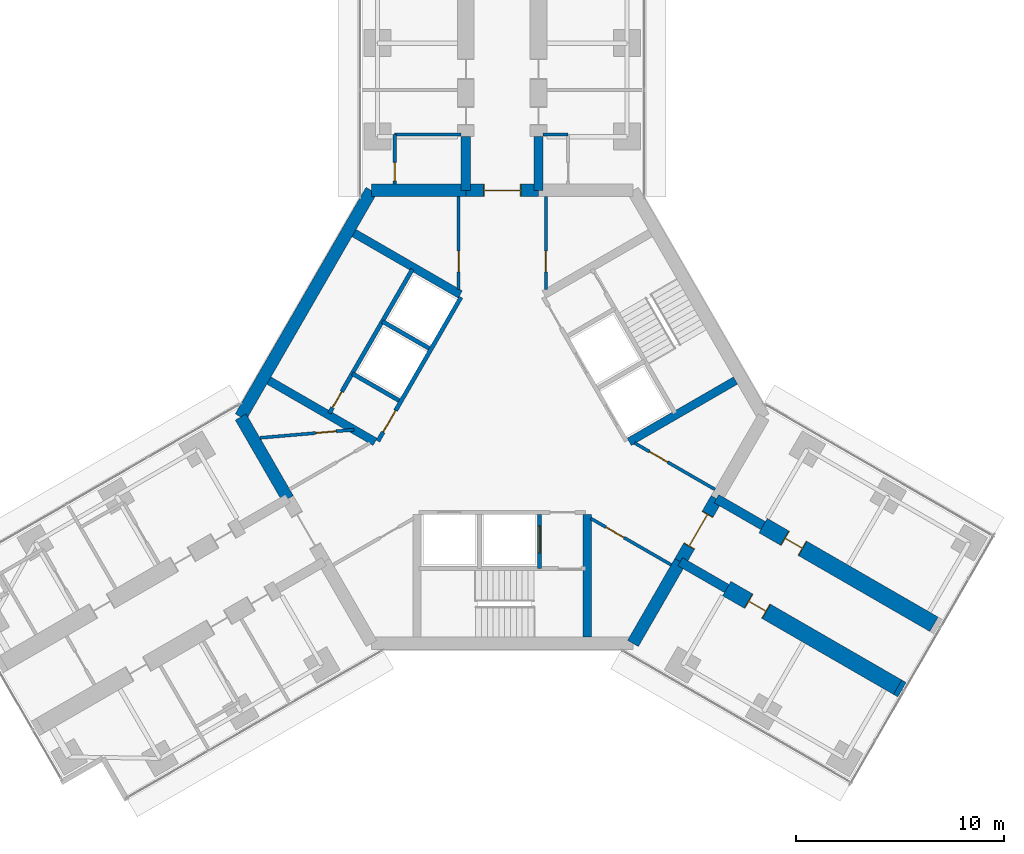
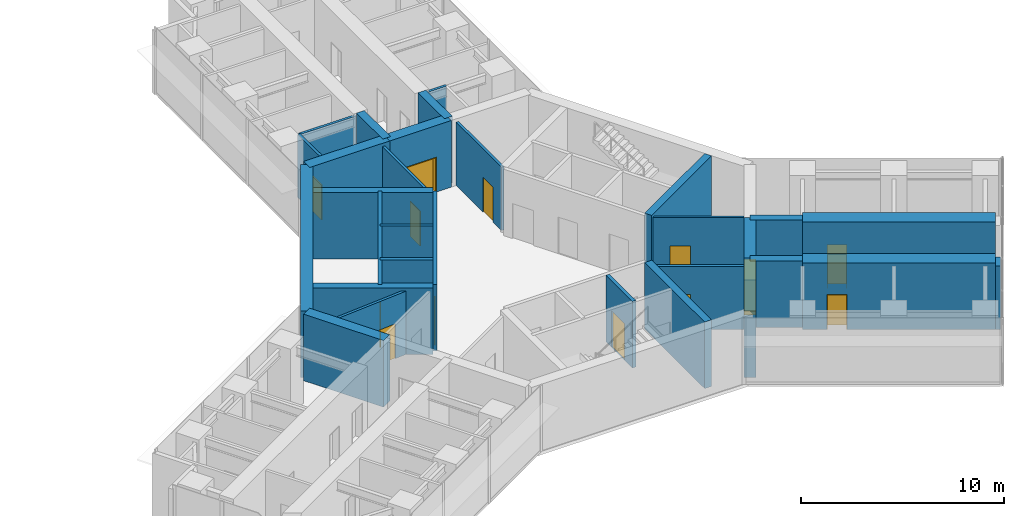
# One storey, part 19 of 22: 30 walls, 13 doors, 13 openings.
"""IFC4 building model written with IfcOpenShell, lengths in metres."""

from ifc_helpers import new_model, si_unit, direction, frame, frame_2d, origin, place, context, subcontext, project, spatial, rectangle, extrude, material, layer, layer_set, type_object, element, fill, save


model = new_model("IFC4")

# Units and contexts
model_context = context("Model", 3, precision=1e-05, world=origin(), true_north=direction((0.0, 1.0)))
body_context = subcontext(model_context, "Body", "Model", "MODEL_VIEW")
ifc_project = project(units=[si_unit("LENGTHUNIT", "METRE"), si_unit("AREAUNIT", "SQUARE_METRE"), si_unit("VOLUMEUNIT", "CUBIC_METRE"), si_unit("PLANEANGLEUNIT", "RADIAN"), si_unit("MASSUNIT", "GRAM", prefix="KILO")], contexts=[model_context])

# Site, building, storey
site_placement = place(None, origin())
site = spatial("IfcSite", under=ifc_project, at=site_placement, CompositionType="ELEMENT")
building_placement = place(site_placement, origin())
building = spatial("IfcBuilding", under=site, at=building_placement, Name="Upepo Twin Towers", CompositionType="ELEMENT")
storey_placement = place(building_placement, frame((0.0, 0.0, 141.5)))
storey = spatial("IfcBuildingStorey", under=building, at=storey_placement, Name="L34", CompositionType="ELEMENT", Elevation=141.5)

# Walls
ifc_material_1 = material(Name="Dense concrete blockwork", Category="masonry")
ifc_layer_1 = layer(ifc_material_1, 0.800048828125)
ifc_layer_set_1 = layer_set([ifc_layer_1], Name="Buttress closer 800, blockwork with fire-stopping to the curtain wall")
wall_type_1 = type_object("IfcWallType", Name="Buttress closer 800, blockwork with fire-stopping to the curtain wall", PredefinedType="PARTITIONING", material=ifc_layer_set_1)
wall_1_placement = place(storey_placement, frame((77.543701171875, -31.015625, 0.0), z_axis=(0.0, 0.0, 1.0), x_axis=(0.865827443207, -0.500342721131, 0.0)))
element("IfcWall", 1, at=wall_1_placement, inside=storey, type_object=wall_type_1, Name="T2 L34 wing C buttress closer R", PredefinedType="PARTITIONING", context=body_context, shape_type="SweptSolid", body=[
    extrude(rectangle(XDim=0.249755859375, YDim=0.800048828125, at=frame_2d((0.125, 0.0))), origin(), (0.0, 0.0, 1.0), 3.800048828125),
])
ifc_material_2 = material(Name="Concrete C60/75", Category="concrete")
ifc_layer_2 = layer(ifc_material_2, 0.449951171875)
ifc_layer_set_2 = layer_set([ifc_layer_2], Name="Concrete C60/75")
wall_type_2 = type_object("IfcWallType", Name="Buttress wall 450 RC", PredefinedType="SHEAR", material=ifc_layer_set_2)
for number, where, z_axis, x_axis, name in (
    (2, (56.75, -7.091552734375, 0.0), (0.0, 0.0, 1.0), (0.0, 1.0, 0.0), "T2 wing A buttress wall L"),
    (3, (60.25, -7.091552734375, 0.0), (0.0, 0.0, 1.0), (0.0, 1.0, 0.0), "T2 wing A buttress wall R"),
):
    element("IfcWall", number, at=place(storey_placement, frame(where, z_axis=z_axis, x_axis=x_axis)), inside=storey, type_object=wall_type_2, Name=name, PredefinedType="SHEAR", context=body_context, shape_type="SweptSolid", body=[
        extrude(rectangle(XDim=2.591552734375, YDim=0.449951171875, at=frame_2d((1.2958984375, 0.0))), origin(), (0.0, 0.0, 1.0), 4.0),
    ])
for number, where, z_axis, x_axis, name in (
    (4, (68.82177734375, -21.938720703125, 0.0), (0.0, 0.0, 1.0), (0.866072649678, -0.499918158782, 0.0), "T2 wing C buttress wall L"),
    (5, (67.07177734375, -24.9697265625, 0.0), (0.0, 0.0, 1.0), (0.866031863473, -0.499988811324, 0.0), "T2 wing C buttress wall R"),
):
    element("IfcWall", number, at=place(storey_placement, frame(where, z_axis=z_axis, x_axis=x_axis)), inside=storey, type_object=wall_type_2, Name=name, PredefinedType="SHEAR", context=body_context, shape_type="SweptSolid", body=[
        extrude(rectangle(XDim=2.591796875, YDim=0.449951171875, at=frame_2d((1.2958984375, 0.0))), origin(), (0.0, 0.0, 1.0), 4.0),
    ])

# Wall, opening, door
ifc_material_3 = material(Name="Concrete C60/75", Category="concrete")
ifc_layer_3 = layer(ifc_material_3, 0.800048828125)
ifc_layer_set_3 = layer_set([ifc_layer_3], Name="Concrete C60/75")
wall_type_3 = type_object("IfcWallType", Name="Buttress wall 800 RC", PredefinedType="SHEAR", material=ifc_layer_set_3)
wall_2_placement = place(storey_placement, frame((71.06640625, -23.234375, 0.0), z_axis=(0.0, 0.0, 1.0), x_axis=(0.86602681393, -0.499997557548, 0.0)))
wall_2 = element("IfcWall", 6, at=wall_2_placement, inside=storey, type_object=wall_type_3, Name="T2 wing C buttress wall L part 2", PredefinedType="SHEAR", context=body_context, shape_type="SweptSolid", body=[
    extrude(rectangle(XDim=9.5, YDim=0.800048828125, at=frame_2d((4.75, 0.0))), origin(), (0.0, 0.0, 1.0), 4.0),
])
opening_1_placement = place(wall_2_placement, frame((1.199951171875, 0.0, 0.0)))
opening_1 = element("IfcOpeningElement", 7, at=opening_1_placement, cuts=wall_2, Name="Opening D1", PredefinedType="OPENING", context=body_context, shape_type="SweptSolid", body=[
    extrude(rectangle(XDim=1.0, YDim=2.10009765625, at=frame_2d((0.5, 1.050048828125))), frame((0.0, 0.409912109375, 0.0), z_axis=(0.0, -1.0, 0.0), x_axis=(1.0, 0.0, 0.0)), (0.0, 0.0, 1.0), 0.820068359375),
])
ifc_material_4 = material(Name="Timber doorset", Category="wood")
door_type_1 = type_object("IfcDoorType", Name="Room door 1000 FD30", OperationType="SINGLE_SWING_LEFT", PredefinedType="DOOR", material=ifc_material_4)
door_1_placement = place(opening_1_placement, origin())
door_1 = element("IfcDoor", 8, at=door_1_placement, inside=storey, type_object=door_type_1, Name="T2 L34 staff office door", OperationType="SINGLE_SWING_LEFT", OverallHeight=2.10009765625, OverallWidth=1.0, PredefinedType="DOOR", context=body_context, shape_type="SweptSolid", body=[
    extrude(rectangle(XDim=0.92, YDim=2.06009765625, at=frame_2d((0.5, 1.030029296875))), frame((0.0, 0.02490234375, 0.0), z_axis=(0.0, -1.0, 0.0), x_axis=(1.0, 0.0, 0.0)), (0.0, 0.0, 1.0), 0.050048828125),
    extrude(rectangle(XDim=0.04, YDim=2.10009765625, at=frame_2d((0.02001953125, 1.050048828125))), frame((0.0, 0.39990234375, 0.0), z_axis=(0.0, -1.0, 0.0), x_axis=(1.0, 0.0, 0.0)), (0.0, 0.0, 1.0), 0.799560546875),
    extrude(rectangle(XDim=0.04, YDim=2.10009765625, at=frame_2d((0.97998046875, 1.050048828125))), frame((0.0, 0.39990234375, 0.0), z_axis=(0.0, -1.0, 0.0), x_axis=(1.0, 0.0, 0.0)), (0.0, 0.0, 1.0), 0.799560546875),
    extrude(rectangle(XDim=0.92, YDim=0.04, at=frame_2d((0.5, 2.080078125))), frame((0.0, 0.39990234375, 0.0), z_axis=(0.0, -1.0, 0.0), x_axis=(1.0, 0.0, 0.0)), (0.0, 0.0, 1.0), 0.799560546875),
])
fill(opening_1, door_1)

wall_3_placement = place(storey_placement, frame((69.31640625, -26.265625, 0.0), z_axis=(0.0, 0.0, 1.0), x_axis=(0.86602681393, -0.499997557548, 0.0)))
wall_3 = element("IfcWall", 9, at=wall_3_placement, inside=storey, type_object=wall_type_3, Name="T2 wing C buttress wall R part 2", PredefinedType="SHEAR", context=body_context, shape_type="SweptSolid", body=[
    extrude(rectangle(XDim=9.5, YDim=0.800048828125, at=frame_2d((4.75, 0.0))), origin(), (0.0, 0.0, 1.0), 4.0),
])
opening_2_placement = place(wall_3_placement, frame((1.199951171875, 0.0, 0.0)))
opening_2 = element("IfcOpeningElement", 10, at=opening_2_placement, cuts=wall_3, Name="Opening D1", PredefinedType="OPENING", context=body_context, shape_type="SweptSolid", body=[
    extrude(rectangle(XDim=1.0, YDim=2.10009765625, at=frame_2d((0.5, 1.050048828125))), frame((0.0, 0.409912109375, 0.0), z_axis=(0.0, -1.0, 0.0), x_axis=(1.0, 0.0, 0.0)), (0.0, 0.0, 1.0), 0.820068359375),
])
door_2_placement = place(opening_2_placement, origin())
door_2 = element("IfcDoor", 11, at=door_2_placement, inside=storey, type_object=door_type_1, Name="T2 L34 staff office door", OperationType="SINGLE_SWING_LEFT", OverallHeight=2.10009765625, OverallWidth=1.0, PredefinedType="DOOR", context=body_context, shape_type="SweptSolid", body=[
    extrude(rectangle(XDim=0.92, YDim=2.06009765625, at=frame_2d((0.5, 1.030029296875))), frame((0.0, 0.02490234375, 0.0), z_axis=(0.0, -1.0, 0.0), x_axis=(1.0, 0.0, 0.0)), (0.0, 0.0, 1.0), 0.050048828125),
    extrude(rectangle(XDim=0.04, YDim=2.10009765625, at=frame_2d((0.02001953125, 1.050048828125))), frame((0.0, 0.39990234375, 0.0), z_axis=(0.0, -1.0, 0.0), x_axis=(1.0, 0.0, 0.0)), (0.0, 0.0, 1.0), 0.799560546875),
    extrude(rectangle(XDim=0.04, YDim=2.10009765625, at=frame_2d((0.97998046875, 1.050048828125))), frame((0.0, 0.39990234375, 0.0), z_axis=(0.0, -1.0, 0.0), x_axis=(1.0, 0.0, 0.0)), (0.0, 0.0, 1.0), 0.799560546875),
    extrude(rectangle(XDim=0.92, YDim=0.04, at=frame_2d((0.5, 2.080078125))), frame((0.0, 0.39990234375, 0.0), z_axis=(0.0, -1.0, 0.0), x_axis=(1.0, 0.0, 0.0)), (0.0, 0.0, 1.0), 0.799560546875),
])
fill(opening_2, door_2)

ifc_material_5 = material(Name="Concrete C60/75", Category="concrete")
ifc_layer_4 = layer(ifc_material_5, 0.60009765625)
ifc_layer_set_4 = layer_set([ifc_layer_4], Name="Concrete C60/75")
wall_type_4 = type_object("IfcWallType", Name="Core wall 600 RC", PredefinedType="SHEAR", material=ifc_layer_set_4)
wall_4_placement = place(storey_placement, frame((60.25, -7.091552734375, 0.0), z_axis=(0.0, 0.0, 1.0), x_axis=(-1.0, 0.0, 0.0)))
wall_4 = element("IfcWall", 12, at=wall_4_placement, inside=storey, type_object=wall_type_4, Name="T2 core wall 000", PredefinedType="SHEAR", context=body_context, shape_type="SweptSolid", body=[
    extrude(rectangle(XDim=3.5, YDim=0.60009765625, at=frame_2d((1.75, 0.0))), origin(), (0.0, 0.0, 1.0), 4.0),
])
opening_3_placement = place(wall_4_placement, frame((0.85009765625, 0.0, 0.0)))
opening_3 = element("IfcOpeningElement", 13, at=opening_3_placement, cuts=wall_4, Name="Opening D2", PredefinedType="OPENING", context=body_context, shape_type="SweptSolid", body=[
    extrude(rectangle(XDim=1.800048828125, YDim=2.10009765625, at=frame_2d((0.89990234375, 1.050048828125))), frame((0.0, 0.31005859375, 0.0), z_axis=(0.0, -1.0, 0.0), x_axis=(1.0, 0.0, 0.0)), (0.0, 0.0, 1.0), 0.6201171875),
])
ifc_material_6 = material(Name="Timber doorset", Category="wood")
door_type_2 = type_object("IfcDoorType", Name="Corridor double door 1800 FD60", OperationType="DOUBLE_DOOR_DOUBLE_SWING", PredefinedType="DOOR", material=ifc_material_6)
door_3_placement = place(opening_3_placement, origin())
door_3 = element("IfcDoor", 14, at=door_3_placement, inside=storey, type_object=door_type_2, Name="T2 L34 wing A corridor door", OperationType="DOUBLE_DOOR_DOUBLE_SWING", OverallHeight=2.10009765625, OverallWidth=1.800048828125, PredefinedType="DOOR", context=body_context, shape_type="SweptSolid", body=[
    extrude(rectangle(XDim=1.720048828125, YDim=2.06009765625, at=frame_2d((0.89990234375, 1.030029296875))), frame((0.0, 0.02490234375, 0.0), z_axis=(0.0, -1.0, 0.0), x_axis=(1.0, 0.0, 0.0)), (0.0, 0.0, 1.0), 0.050048828125),
    extrude(rectangle(XDim=0.04, YDim=2.10009765625, at=frame_2d((0.02001953125, 1.050048828125))), frame((0.0, 0.2998046875, 0.0), z_axis=(0.0, -1.0, 0.0), x_axis=(1.0, 0.0, 0.0)), (0.0, 0.0, 1.0), 0.599609375),
    extrude(rectangle(XDim=0.04, YDim=2.10009765625, at=frame_2d((1.780029296875, 1.050048828125))), frame((0.0, 0.2998046875, 0.0), z_axis=(0.0, -1.0, 0.0), x_axis=(1.0, 0.0, 0.0)), (0.0, 0.0, 1.0), 0.599609375),
    extrude(rectangle(XDim=1.720048828125, YDim=0.04, at=frame_2d((0.89990234375, 2.080078125))), frame((0.0, 0.2998046875, 0.0), z_axis=(0.0, -1.0, 0.0), x_axis=(1.0, 0.0, 0.0)), (0.0, 0.0, 1.0), 0.599609375),
])
fill(opening_3, door_3)

# Walls
wall_5_placement = place(storey_placement, frame((56.75, -7.091552734375, 0.0), z_axis=(0.0, 0.0, 1.0), x_axis=(-1.0, 0.0, 0.0)))
element("IfcWall", 15, at=wall_5_placement, inside=storey, type_object=wall_type_4, Name="T2 core wall 000 L", PredefinedType="SHEAR", context=body_context, shape_type="SweptSolid", body=[
    extrude(rectangle(XDim=4.5478515625, YDim=0.60009765625, at=frame_2d((2.27392578125, 0.0))), origin(), (0.0, 0.0, 1.0), 4.0),
])
wall_6_placement = place(storey_placement, frame((52.2021484375, -7.091552734375, 0.0), z_axis=(0.0, 0.0, 1.0), x_axis=(-0.500005998175, -0.866021940709, 0.0)))
element("IfcWall", 16, at=wall_6_placement, inside=storey, type_object=wall_type_4, Name="T2 core wall 060", PredefinedType="SHEAR", context=body_context, shape_type="SweptSolid", body=[
    extrude(rectangle(XDim=12.595947265625, YDim=0.60009765625, at=frame_2d((6.2978515625, 0.0))), origin(), (0.0, 0.0, 1.0), 4.0),
])
for number, where, z_axis, x_axis, name in (
    (17, (45.904052734375, -18.0, 0.0), (0.0, 0.0, 1.0), (0.500024481964, -0.866011268655, 0.0), "T2 core wall 120 R"),
    (18, (64.7978515625, -28.908447265625, 0.0), (0.0, 0.0, 1.0), (0.499984222037, 0.866034513004, 0.0), "T2 core wall 240 R"),
):
    element("IfcWall", number, at=place(storey_placement, frame(where, z_axis=z_axis, x_axis=x_axis)), inside=storey, type_object=wall_type_4, Name=name, PredefinedType="SHEAR", context=body_context, shape_type="SweptSolid", body=[
        extrude(rectangle(XDim=4.548095703125, YDim=0.60009765625, at=frame_2d((2.27392578125, 0.0))), origin(), (0.0, 0.0, 1.0), 4.0),
    ])

# Wall, opening, door
wall_7_placement = place(storey_placement, frame((67.07177734375, -24.9697265625, 0.0), z_axis=(0.0, 0.0, 1.0), x_axis=(0.500010275428, 0.866019471182, 0.0)))
wall_7 = element("IfcWall", 19, at=wall_7_placement, inside=storey, type_object=wall_type_4, Name="T2 core wall 240", PredefinedType="SHEAR", context=body_context, shape_type="SweptSolid", body=[
    extrude(rectangle(XDim=3.5, YDim=0.60009765625, at=frame_2d((1.75, 0.0))), origin(), (0.0, 0.0, 1.0), 4.0),
])
opening_4_placement = place(wall_7_placement, frame((0.85009765625, 0.0, 0.0)))
opening_4 = element("IfcOpeningElement", 20, at=opening_4_placement, cuts=wall_7, Name="Opening D2", PredefinedType="OPENING", context=body_context, shape_type="SweptSolid", body=[
    extrude(rectangle(XDim=1.800048828125, YDim=2.10009765625, at=frame_2d((0.89990234375, 1.050048828125))), frame((0.0, 0.31005859375, 0.0), z_axis=(0.0, -1.0, 0.0), x_axis=(1.0, 0.0, 0.0)), (0.0, 0.0, 1.0), 0.6201171875),
])
door_4_placement = place(opening_4_placement, origin())
door_4 = element("IfcDoor", 21, at=door_4_placement, inside=storey, type_object=door_type_2, Name="T2 L34 wing C corridor door", OperationType="DOUBLE_DOOR_DOUBLE_SWING", OverallHeight=2.10009765625, OverallWidth=1.800048828125, PredefinedType="DOOR", context=body_context, shape_type="SweptSolid", body=[
    extrude(rectangle(XDim=1.720048828125, YDim=2.06009765625, at=frame_2d((0.89990234375, 1.030029296875))), frame((0.0, 0.02490234375, 0.0), z_axis=(0.0, -1.0, 0.0), x_axis=(1.0, 0.0, 0.0)), (0.0, 0.0, 1.0), 0.050048828125),
    extrude(rectangle(XDim=0.04, YDim=2.10009765625, at=frame_2d((0.02001953125, 1.050048828125))), frame((0.0, 0.2998046875, 0.0), z_axis=(0.0, -1.0, 0.0), x_axis=(1.0, 0.0, 0.0)), (0.0, 0.0, 1.0), 0.599609375),
    extrude(rectangle(XDim=0.04, YDim=2.10009765625, at=frame_2d((1.780029296875, 1.050048828125))), frame((0.0, 0.2998046875, 0.0), z_axis=(0.0, -1.0, 0.0), x_axis=(1.0, 0.0, 0.0)), (0.0, 0.0, 1.0), 0.599609375),
    extrude(rectangle(XDim=1.720048828125, YDim=0.04, at=frame_2d((0.89990234375, 2.080078125))), frame((0.0, 0.2998046875, 0.0), z_axis=(0.0, -1.0, 0.0), x_axis=(1.0, 0.0, 0.0)), (0.0, 0.0, 1.0), 0.599609375),
])
fill(opening_4, door_4)

ifc_material_7 = material(Name="Concrete C40/50", Category="concrete")
ifc_layer_5 = layer(ifc_material_7, 0.199951171875)
ifc_layer_set_5 = layer_set([ifc_layer_5], Name="Concrete C40/50")
wall_type_5 = type_object("IfcWallType", Name="Shaft wall 200 RC", PredefinedType="SHEAR", material=ifc_layer_set_5)
wall_8_placement = place(storey_placement, frame((56.516357421875, -12.23583984375, 0.0), z_axis=(0.0, 0.0, 1.0), x_axis=(-0.49999894854, -0.866026010844, 0.0)))
wall_8 = element("IfcWall", 22, at=wall_8_placement, inside=storey, type_object=wall_type_5, Name="T2 core W60 front wall", PredefinedType="SHEAR", context=body_context, shape_type="SweptSolid", body=[
    extrude(rectangle(XDim=8.0, YDim=0.199951171875, at=frame_2d((4.0, 0.0))), origin(), (0.0, 0.0, 1.0), 4.0),
])
opening_5_placement = place(wall_8_placement, frame((6.300048828125, 0.0, 0.0)))
opening_5 = element("IfcOpeningElement", 23, at=opening_5_placement, cuts=wall_8, Name="Opening D4", PredefinedType="OPENING", context=body_context, shape_type="SweptSolid", body=[
    extrude(rectangle(XDim=1.199951171875, YDim=2.10009765625, at=frame_2d((0.60009765625, 1.050048828125))), frame((0.0, 0.10986328125, 0.0), z_axis=(0.0, -1.0, 0.0), x_axis=(1.0, 0.0, 0.0)), (0.0, 0.0, 1.0), 0.219970703125),
])
ifc_material_8 = material(Name="Timber doorset", Category="wood")
door_type_3 = type_object("IfcDoorType", Name="Lobby door 1200 FD60", OperationType="SINGLE_SWING_LEFT", PredefinedType="DOOR", material=ifc_material_8)
door_5_placement = place(opening_5_placement, origin())
door_5 = element("IfcDoor", 24, at=door_5_placement, inside=storey, type_object=door_type_3, Name="T2 L34 W60 lobby door", OperationType="SINGLE_SWING_RIGHT", OverallHeight=2.10009765625, OverallWidth=1.199951171875, PredefinedType="DOOR", context=body_context, shape_type="SweptSolid", body=[
    extrude(rectangle(XDim=1.199951171875, YDim=2.10009765625, at=frame_2d((0.60009765625, 1.050048828125))), frame((0.0, 0.02490234375, 0.0), z_axis=(0.0, -1.0, 0.0), x_axis=(1.0, 0.0, 0.0)), (0.0, 0.0, 1.0), 0.050048828125),
])
fill(opening_5, door_5)

# Walls
for number, where, z_axis, x_axis, name in (
    (25, (54.979736328125, -14.697265625, 0.0), (0.0, 0.0, 1.0), (-0.866062058628, 0.499936506574, 0.0), "T2 core W60 shaft divider"),
    (26, (53.52978515625, -17.208740234375, 0.0), (0.0, 0.0, 1.0), (-0.866062058628, 0.499936506574, 0.0), "T2 core W60 lobby wall"),
):
    element("IfcWall", number, at=place(storey_placement, frame(where, z_axis=z_axis, x_axis=x_axis)), inside=storey, type_object=wall_type_5, Name=name, PredefinedType="SHEAR", context=body_context, shape_type="SweptSolid", body=[
        extrude(rectangle(XDim=2.599853515625, YDim=0.199951171875, at=frame_2d((1.2998046875, 0.0))), origin(), (0.0, 0.0, 1.0), 4.0),
    ])

# Wall, opening, door
wall_9_placement = place(storey_placement, frame((54.177978515625, -10.885986328125, 0.0), z_axis=(0.0, 0.0, 1.0), x_axis=(-0.49999894854, -0.866026010844, 0.0)))
wall_9 = element("IfcWall", 27, at=wall_9_placement, inside=storey, type_object=wall_type_5, Name="T2 core W60 stair wall", PredefinedType="SHEAR", context=body_context, shape_type="SweptSolid", body=[
    extrude(rectangle(XDim=8.0, YDim=0.199951171875, at=frame_2d((4.0, 0.0))), origin(), (0.0, 0.0, 1.0), 4.0),
])
opening_6_placement = place(wall_9_placement, frame((6.800048828125, 0.0, 0.0)))
opening_6 = element("IfcOpeningElement", 28, at=opening_6_placement, cuts=wall_9, Name="Opening D9", PredefinedType="OPENING", context=body_context, shape_type="SweptSolid", body=[
    extrude(rectangle(XDim=0.89990234375, YDim=2.10009765625, at=frame_2d((0.449951171875, 1.050048828125))), frame((0.0, 0.10986328125, 0.0), z_axis=(0.0, -1.0, 0.0), x_axis=(1.0, 0.0, 0.0)), (0.0, 0.0, 1.0), 0.219970703125),
])
ifc_material_9 = material(Name="Timber doorset", Category="wood")
door_type_4 = type_object("IfcDoorType", Name="Riser door 900 FD60", OperationType="SINGLE_SWING_LEFT", PredefinedType="DOOR", material=ifc_material_9)
door_6_placement = place(opening_6_placement, origin())
door_6 = element("IfcDoor", 29, at=door_6_placement, inside=storey, type_object=door_type_4, Name="T2 L34 riser door", OperationType="SINGLE_SWING_RIGHT", OverallHeight=2.10009765625, OverallWidth=0.89990234375, PredefinedType="DOOR", context=body_context, shape_type="SweptSolid", body=[
    extrude(rectangle(XDim=0.89990234375, YDim=2.10009765625, at=frame_2d((0.449951171875, 1.050048828125))), frame((0.0, 0.02490234375, 0.0), z_axis=(0.0, -1.0, 0.0), x_axis=(1.0, 0.0, 0.0)), (0.0, 0.0, 1.0), 0.050048828125),
])
fill(opening_6, door_6)

wall_10_placement = place(storey_placement, frame((60.300048828125, -22.699951171875, 0.0), z_axis=(0.0, 0.0, 1.0), x_axis=(0.0, -1.0, 0.0)))
wall_10 = element("IfcWall", 30, at=wall_10_placement, inside=storey, type_object=wall_type_5, Name="T2 core W180 lobby wall", PredefinedType="SHEAR", context=body_context, shape_type="SweptSolid", body=[
    extrude(rectangle(XDim=2.60009765625, YDim=0.199951171875, at=frame_2d((1.300048828125, 0.0))), origin(), (0.0, 0.0, 1.0), 4.0),
])
opening_7_placement = place(wall_10_placement, frame((0.550048828125, 0.0, 0.0)))
opening_7 = element("IfcOpeningElement", 31, at=opening_7_placement, cuts=wall_10, Name="Opening LD2", PredefinedType="OPENING", context=body_context, shape_type="SweptSolid", body=[
    extrude(rectangle(XDim=1.300048828125, YDim=2.199951171875, at=frame_2d((0.64990234375, 1.10009765625))), frame((0.0, 0.10986328125, 0.0), z_axis=(0.0, -1.0, 0.0), x_axis=(1.0, 0.0, 0.0)), (0.0, 0.0, 1.0), 0.219970703125),
])
ifc_material_10 = material(Name="Steel doorset", Category="steel")
door_type_5 = type_object("IfcDoorType", Name="Firefighting lift landing door 1300", OperationType="DOUBLE_DOOR_SLIDING", PredefinedType="DOOR", material=ifc_material_10)
door_7_placement = place(opening_7_placement, origin())
door_7 = element("IfcDoor", 32, at=door_7_placement, inside=storey, type_object=door_type_5, Name="T2 L34 firefighting lift landing door", OperationType="DOUBLE_DOOR_SLIDING", OverallHeight=2.199951171875, OverallWidth=1.300048828125, PredefinedType="DOOR", context=body_context, shape_type="SweptSolid", body=[
    extrude(rectangle(XDim=1.300048828125, YDim=2.199951171875, at=frame_2d((0.64990234375, 1.10009765625))), frame((0.0, 0.02490234375, 0.0), z_axis=(0.0, -1.0, 0.0), x_axis=(1.0, 0.0, 0.0)), (0.0, 0.0, 1.0), 0.050048828125),
])
fill(opening_7, door_7)

# Walls
ifc_material_11 = material(Name="Concrete C40/50", Category="concrete")
ifc_layer_6 = layer(ifc_material_11, 0.39990234375)
ifc_layer_set_6 = layer_set([ifc_layer_6], Name="Concrete C40/50")
wall_type_6 = type_object("IfcWallType", Name="Shaft wall 400 RC", PredefinedType="SHEAR", material=ifc_layer_set_6)
wall_11_placement = place(storey_placement, frame((52.379638671875, -19.20068359375, 0.0), z_axis=(0.0, 0.0, 1.0), x_axis=(-0.866027317282, 0.49999668571, 0.0)))
element("IfcWall", 33, at=wall_11_placement, inside=storey, type_object=wall_type_6, Name="T2 core W60 side wall N", PredefinedType="SHEAR", context=body_context, shape_type="SweptSolid", body=[
    extrude(rectangle(XDim=5.908203125, YDim=0.39990234375, at=frame_2d((2.9541015625, 0.0))), origin(), (0.0, 0.0, 1.0), 4.0),
])
for number, where, z_axis, x_axis, name in (
    (34, (56.479736328125, -12.099365234375, 0.0), (0.0, 0.0, 1.0), (-0.866009424208, 0.500027676417, 0.0), "T2 core W60 side wall S"),
    (35, (62.60009765625, -22.699951171875, 0.0), (0.0, 0.0, 1.0), (0.0, -1.0, 0.0), "T2 core W180 side wall N"),
):
    element("IfcWall", number, at=place(storey_placement, frame(where, z_axis=z_axis, x_axis=x_axis)), inside=storey, type_object=wall_type_6, Name=name, PredefinedType="SHEAR", context=body_context, shape_type="SweptSolid", body=[
        extrude(rectangle(XDim=5.908447265625, YDim=0.39990234375, at=frame_2d((2.9541015625, 0.0))), origin(), (0.0, 0.0, 1.0), 4.0),
    ])
wall_12_placement = place(storey_placement, frame((64.620361328125, -19.20068359375, 0.0), z_axis=(0.0, 0.0, 1.0), x_axis=(0.866027317282, 0.49999668571, 0.0)))
element("IfcWall", 36, at=wall_12_placement, inside=storey, type_object=wall_type_6, Name="T2 core W300 side wall S", PredefinedType="SHEAR", context=body_context, shape_type="SweptSolid", body=[
    extrude(rectangle(XDim=5.908203125, YDim=0.39990234375, at=frame_2d((2.9541015625, 0.0))), origin(), (0.0, 0.0, 1.0), 4.0),
])

# Wall, opening, door
ifc_material_12 = material(Name="Gypsum board on steel studs", Category="steel")
ifc_layer_7 = layer(ifc_material_12, 0.14990234375)
ifc_layer_set_7 = layer_set([ifc_layer_7], Name="Teaching partition 150 acoustic")
wall_type_7 = type_object("IfcWallType", Name="Teaching partition 150 acoustic", PredefinedType="PARTITIONING", material=ifc_layer_set_7)
wall_13_placement = place(storey_placement, frame((53.324951171875, -6.7919921875, 0.0), z_axis=(0.0, 0.0, 1.0), x_axis=(0.0, 1.0, 0.0)))
wall_13 = element("IfcWall", 37, at=wall_13_placement, inside=storey, type_object=wall_type_7, Name="T2 WC bay partition AL at 11.21", PredefinedType="PARTITIONING", context=body_context, shape_type="SweptSolid", body=[
    extrude(rectangle(XDim=2.39990234375, YDim=0.14990234375, at=frame_2d((1.199951171875, 0.0))), origin(), (0.0, 0.0, 1.0), 3.800048828125),
])
opening_8_placement = place(wall_13_placement, frame((0.14990234375, 0.0, 0.0)))
opening_8 = element("IfcOpeningElement", 38, at=opening_8_placement, cuts=wall_13, Name="Opening D14", PredefinedType="OPENING", context=body_context, shape_type="SweptSolid", body=[
    extrude(rectangle(XDim=0.89990234375, YDim=2.10009765625, at=frame_2d((0.449951171875, 1.050048828125))), frame((0.0, 0.0849609375, 0.0), z_axis=(0.0, -1.0, 0.0), x_axis=(1.0, 0.0, 0.0)), (0.0, 0.0, 1.0), 0.169921875),
])
ifc_material_13 = material(Name="Timber doorset", Category="wood")
door_type_6 = type_object("IfcDoorType", Name="Office door 900 FD30", OperationType="SINGLE_SWING_LEFT", PredefinedType="DOOR", material=ifc_material_13)
door_8_placement = place(opening_8_placement, origin())
door_8 = element("IfcDoor", 39, at=door_8_placement, inside=storey, type_object=door_type_6, Name="T2 L34 WC bay inner room door", OperationType="SINGLE_SWING_LEFT", OverallHeight=2.10009765625, OverallWidth=0.89990234375, PredefinedType="DOOR", context=body_context, shape_type="SweptSolid", body=[
    extrude(rectangle(XDim=0.89990234375, YDim=2.10009765625, at=frame_2d((0.449951171875, 1.050048828125))), frame((0.0, 0.02490234375, 0.0), z_axis=(0.0, -1.0, 0.0), x_axis=(1.0, 0.0, 0.0)), (0.0, 0.0, 1.0), 0.050048828125),
])
fill(opening_8, door_8)

# Walls
wall_14_placement = place(storey_placement, frame((56.52490234375, -4.39208984375, 0.0), z_axis=(0.0, 0.0, 1.0), x_axis=(-1.0, 0.0, 0.0)))
element("IfcWall", 40, at=wall_14_placement, inside=storey, type_object=wall_type_7, Name="T2 WC bay partition AL end at 13.61", PredefinedType="PARTITIONING", context=body_context, shape_type="SweptSolid", body=[
    extrude(rectangle(XDim=3.199951171875, YDim=0.14990234375, at=frame_2d((1.60009765625, 0.0))), origin(), (0.0, 0.0, 1.0), 3.800048828125),
])
wall_15_placement = place(storey_placement, frame((60.47509765625, -4.39208984375, 0.0), z_axis=(0.0, 0.0, 1.0), x_axis=(1.0, 0.0, 0.0)))
element("IfcWall", 41, at=wall_15_placement, inside=storey, type_object=wall_type_7, Name="T2 WC bay partition AR end at 13.61", PredefinedType="PARTITIONING", context=body_context, shape_type="SweptSolid", body=[
    extrude(rectangle(XDim=1.199951171875, YDim=0.14990234375, at=frame_2d((0.60009765625, 0.0))), origin(), (0.0, 0.0, 1.0), 3.800048828125),
])

# Wall, opening, door
wall_16_placement = place(storey_placement, frame((56.39990234375, -11.857421875, 0.0), z_axis=(0.0, 0.0, 1.0), x_axis=(0.0, 1.0, 0.0)))
wall_16 = element("IfcWall", 42, at=wall_16_placement, inside=storey, type_object=wall_type_7, Name="T2 core room partition 2", PredefinedType="PARTITIONING", context=body_context, shape_type="SweptSolid", body=[
    extrude(rectangle(XDim=4.475830078125, YDim=0.14990234375, at=frame_2d((2.23779296875, 0.0))), origin(), (0.0, 0.0, 1.0), 3.800048828125),
])
opening_9_placement = place(wall_16_placement, frame((0.8427734375, 0.0, 0.0)))
opening_9 = element("IfcOpeningElement", 43, at=opening_9_placement, cuts=wall_16, Name="Opening D1", PredefinedType="OPENING", context=body_context, shape_type="SweptSolid", body=[
    extrude(rectangle(XDim=1.0, YDim=2.10009765625, at=frame_2d((0.5, 1.050048828125))), frame((0.0, 0.0849609375, 0.0), z_axis=(0.0, -1.0, 0.0), x_axis=(1.0, 0.0, 0.0)), (0.0, 0.0, 1.0), 0.169921875),
])
door_9_placement = place(opening_9_placement, origin())
door_9 = element("IfcDoor", 44, at=door_9_placement, inside=storey, type_object=door_type_1, Name="T2 L34 core room door K7", OperationType="SINGLE_SWING_LEFT", OverallHeight=2.10009765625, OverallWidth=1.0, PredefinedType="DOOR", context=body_context, shape_type="SweptSolid", body=[
    extrude(rectangle(XDim=1.0, YDim=2.10009765625, at=frame_2d((0.5, 1.050048828125))), frame((0.0, 0.02490234375, 0.0), z_axis=(0.0, -1.0, 0.0), x_axis=(1.0, 0.0, 0.0)), (0.0, 0.0, 1.0), 0.050048828125),
])
fill(opening_9, door_9)

wall_17_placement = place(storey_placement, frame((60.60009765625, -7.381591796875, 0.0), z_axis=(0.0, 0.0, 1.0), x_axis=(0.0, -1.0, 0.0)))
wall_17 = element("IfcWall", 45, at=wall_17_placement, inside=storey, type_object=wall_type_7, Name="T2 core room partition 3", PredefinedType="PARTITIONING", context=body_context, shape_type="SweptSolid", body=[
    extrude(rectangle(XDim=4.475830078125, YDim=0.14990234375, at=frame_2d((2.23779296875, 0.0))), origin(), (0.0, 0.0, 1.0), 3.800048828125),
])
opening_10_placement = place(wall_17_placement, frame((2.6328125, 0.0, 0.0)))
opening_10 = element("IfcOpeningElement", 46, at=opening_10_placement, cuts=wall_17, Name="Opening D1", PredefinedType="OPENING", context=body_context, shape_type="SweptSolid", body=[
    extrude(rectangle(XDim=1.0, YDim=2.10009765625, at=frame_2d((0.5, 1.050048828125))), frame((0.0, 0.0849609375, 0.0), z_axis=(0.0, -1.0, 0.0), x_axis=(1.0, 0.0, 0.0)), (0.0, 0.0, 1.0), 0.169921875),
])
door_10_placement = place(opening_10_placement, origin())
door_10 = element("IfcDoor", 47, at=door_10_placement, inside=storey, type_object=door_type_1, Name="T2 L34 core room door K6", OperationType="SINGLE_SWING_RIGHT", OverallHeight=2.10009765625, OverallWidth=1.0, PredefinedType="DOOR", context=body_context, shape_type="SweptSolid", body=[
    extrude(rectangle(XDim=1.0, YDim=2.10009765625, at=frame_2d((0.5, 1.050048828125))), frame((0.0, 0.02490234375, 0.0), z_axis=(0.0, -1.0, 0.0), x_axis=(1.0, 0.0, 0.0)), (0.0, 0.0, 1.0), 0.050048828125),
])
fill(opening_10, door_10)

wall_18_placement = place(storey_placement, frame((64.86962890625, -19.252685546875, 0.0), z_axis=(0.0, 0.0, 1.0), x_axis=(0.866025707867, -0.499999473313, 0.0)))
wall_18 = element("IfcWall", 48, at=wall_18_placement, inside=storey, type_object=wall_type_7, Name="T2 core room partition 4", PredefinedType="PARTITIONING", context=body_context, shape_type="SweptSolid", body=[
    extrude(rectangle(XDim=4.4755859375, YDim=0.14990234375, at=frame_2d((2.23779296875, 0.0))), origin(), (0.0, 0.0, 1.0), 3.800048828125),
])
opening_11_placement = place(wall_18_placement, frame((0.8427734375, 0.0, 0.0)))
opening_11 = element("IfcOpeningElement", 49, at=opening_11_placement, cuts=wall_18, Name="Opening D1", PredefinedType="OPENING", context=body_context, shape_type="SweptSolid", body=[
    extrude(rectangle(XDim=1.0, YDim=2.10009765625, at=frame_2d((0.5, 1.050048828125))), frame((0.0, 0.0849609375, 0.0), z_axis=(0.0, -1.0, 0.0), x_axis=(1.0, 0.0, 0.0)), (0.0, 0.0, 1.0), 0.169921875),
])
door_11_placement = place(opening_11_placement, origin())
door_11 = element("IfcDoor", 50, at=door_11_placement, inside=storey, type_object=door_type_1, Name="T2 L34 core room door K5", OperationType="SINGLE_SWING_LEFT", OverallHeight=2.10009765625, OverallWidth=1.0, PredefinedType="DOOR", context=body_context, shape_type="SweptSolid", body=[
    extrude(rectangle(XDim=1.0, YDim=2.10009765625, at=frame_2d((0.5, 1.050048828125))), frame((0.0, 0.02490234375, 0.0), z_axis=(0.0, -1.0, 0.0), x_axis=(1.0, 0.0, 0.0)), (0.0, 0.0, 1.0), 0.050048828125),
])
fill(opening_11, door_11)

wall_19_placement = place(storey_placement, frame((66.645751953125, -25.127685546875, 0.0), z_axis=(0.0, 0.0, 1.0), x_axis=(-0.866025707867, 0.499999473313, 0.0)))
wall_19 = element("IfcWall", 51, at=wall_19_placement, inside=storey, type_object=wall_type_7, Name="T2 core room partition 5", PredefinedType="PARTITIONING", context=body_context, shape_type="SweptSolid", body=[
    extrude(rectangle(XDim=4.4755859375, YDim=0.14990234375, at=frame_2d((2.23779296875, 0.0))), origin(), (0.0, 0.0, 1.0), 3.800048828125),
])
opening_12_placement = place(wall_19_placement, frame((2.633056640625, 0.0, 0.0)))
opening_12 = element("IfcOpeningElement", 52, at=opening_12_placement, cuts=wall_19, Name="Opening D1", PredefinedType="OPENING", context=body_context, shape_type="SweptSolid", body=[
    extrude(rectangle(XDim=1.0, YDim=2.10009765625, at=frame_2d((0.5, 1.050048828125))), frame((0.0, 0.0849609375, 0.0), z_axis=(0.0, -1.0, 0.0), x_axis=(1.0, 0.0, 0.0)), (0.0, 0.0, 1.0), 0.169921875),
])
door_12_placement = place(opening_12_placement, origin())
door_12 = element("IfcDoor", 53, at=door_12_placement, inside=storey, type_object=door_type_1, Name="T2 L34 core room door K4", OperationType="SINGLE_SWING_RIGHT", OverallHeight=2.10009765625, OverallWidth=1.0, PredefinedType="DOOR", context=body_context, shape_type="SweptSolid", body=[
    extrude(rectangle(XDim=1.0, YDim=2.10009765625, at=frame_2d((0.5, 1.050048828125))), frame((0.0, 0.02490234375, 0.0), z_axis=(0.0, -1.0, 0.0), x_axis=(1.0, 0.0, 0.0)), (0.0, 0.0, 1.0), 0.050048828125),
])
fill(opening_12, door_12)

wall_20_placement = place(storey_placement, frame((51.366943359375, -18.6162109375, 0.0), z_axis=(0.0, 0.0, 1.0), x_axis=(-0.996291540593, -0.086041653535, 0.0)))
wall_20 = element("IfcWall", 54, at=wall_20_placement, inside=storey, type_object=wall_type_7, Name="T2 core room partition 7", PredefinedType="PARTITIONING", context=body_context, shape_type="SweptSolid", body=[
    extrude(rectangle(XDim=4.55126953125, YDim=0.14990234375, at=frame_2d((2.275634765625, 0.0))), origin(), (0.0, 0.0, 1.0), 3.800048828125),
])
opening_13_placement = place(wall_20_placement, frame((0.865478515625, 0.0, 0.0)))
opening_13 = element("IfcOpeningElement", 55, at=opening_13_placement, cuts=wall_20, Name="Opening D1", PredefinedType="OPENING", context=body_context, shape_type="SweptSolid", body=[
    extrude(rectangle(XDim=1.0, YDim=2.10009765625, at=frame_2d((0.5, 1.050048828125))), frame((0.0, 0.0849609375, 0.0), z_axis=(0.0, -1.0, 0.0), x_axis=(1.0, 0.0, 0.0)), (0.0, 0.0, 1.0), 0.169921875),
])
door_13_placement = place(opening_13_placement, origin())
door_13 = element("IfcDoor", 56, at=door_13_placement, inside=storey, type_object=door_type_1, Name="T2 L34 core room door K1", OperationType="SINGLE_SWING_LEFT", OverallHeight=2.10009765625, OverallWidth=1.0, PredefinedType="DOOR", context=body_context, shape_type="SweptSolid", body=[
    extrude(rectangle(XDim=1.0, YDim=2.10009765625, at=frame_2d((0.5, 1.050048828125))), frame((0.0, 0.02490234375, 0.0), z_axis=(0.0, -1.0, 0.0), x_axis=(1.0, 0.0, 0.0)), (0.0, 0.0, 1.0), 0.050048828125),
])
fill(opening_13, door_13)

save(model, "model.ifc")
